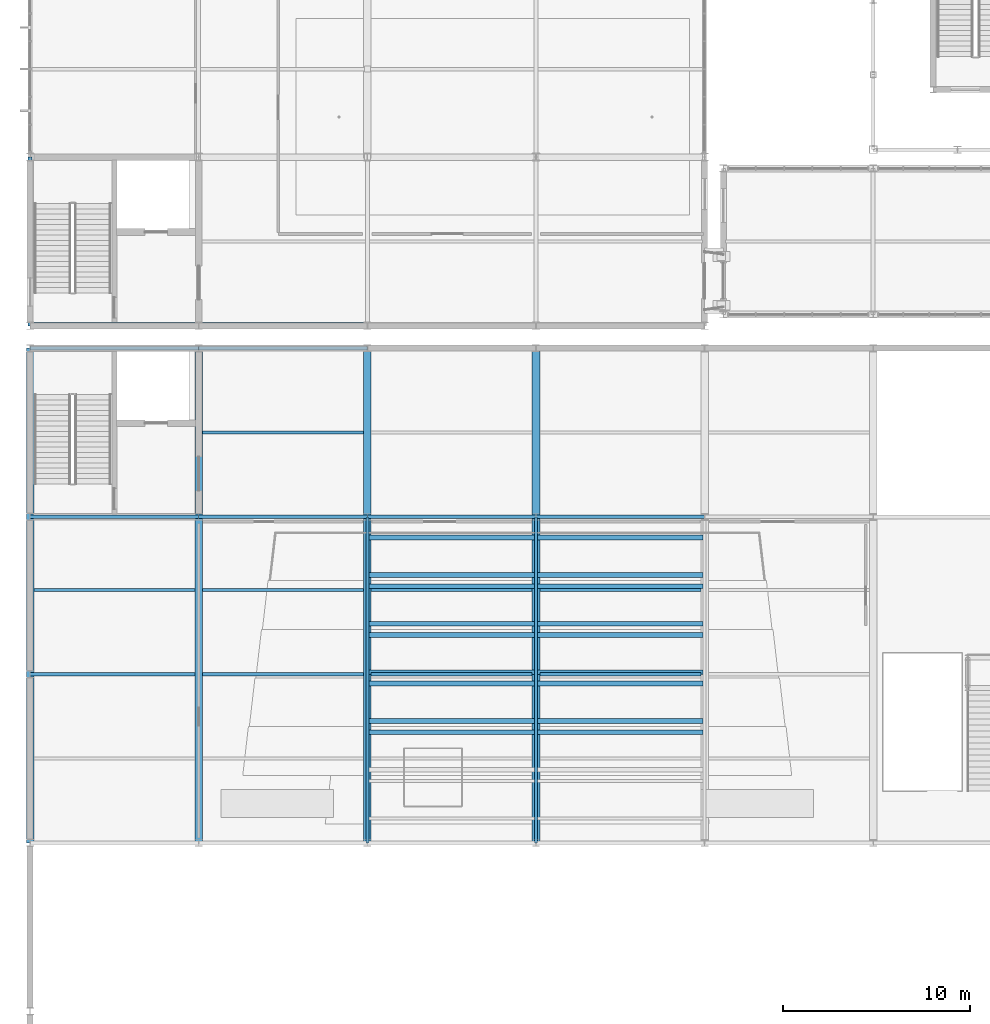
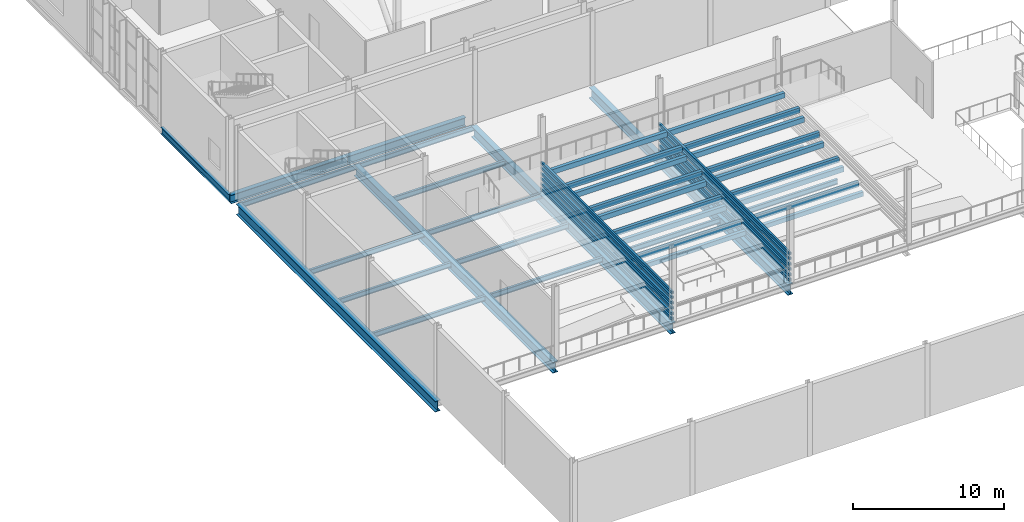
# One storey, part 30 of 159: 52 beams.
"""IFC4 building model written with IfcOpenShell, lengths in metres."""

from ifc_helpers import new_model, si_unit, direction, frame, origin, origin_2d, place, context, subcontext, project, spatial, hollow_rectangle, i_section, extrude, material, material_profile, profile_set, type_object, element, save


model = new_model("IFC4")

# Units and contexts
model_context = context("Model", 3, precision=1e-05, world=origin(), true_north=direction((0.0, 1.0)))
body_context = subcontext(model_context, "Body", "Model", "MODEL_VIEW")
ifc_project = project(units=[si_unit("LENGTHUNIT", "METRE"), si_unit("AREAUNIT", "SQUARE_METRE"), si_unit("VOLUMEUNIT", "CUBIC_METRE"), si_unit("PLANEANGLEUNIT", "RADIAN"), si_unit("MASSUNIT", "GRAM", prefix="KILO")], contexts=[model_context])

# Site, building, storey
site_placement = place(None, origin())
site = spatial("IfcSite", under=ifc_project, at=site_placement, CompositionType="ELEMENT")
building_placement = place(site_placement, origin())
building = spatial("IfcBuilding", under=site, at=building_placement, Name="Cazmaro Siding Exhibition Halls", CompositionType="ELEMENT")
storey_placement = place(building_placement, frame((0.0, 0.0, 6.0)))
storey = spatial("IfcBuildingStorey", under=building, at=storey_placement, Name="L01", CompositionType="ELEMENT", Elevation=6.0)

# Beams
ifc_material_1 = material(Name="Steel ASTM A992 Grade 50", Category="steel")
ifc_material_profile_1 = material_profile(ifc_material_1, i_section(OverallWidth=0.214111328125, OverallDepth=0.549072265625, WebThickness=0.014892578125, FlangeThickness=0.02392578125, at=origin_2d()), Name="W21X93")
ifc_profile_set_1 = profile_set([ifc_material_profile_1], Name="Steel ASTM A992 Grade 50")
beam_type_1 = type_object("IfcBeamType", Name="B-01", PredefinedType="BEAM", material=ifc_profile_set_1)
beam_1_placement = place(storey_placement, frame((0.0, 54.60009765625, -0.493896484375), z_axis=(0.0, 1.0, 0.0), x_axis=(-1.0, 0.0, 0.0)))
element("IfcBeam", 1, at=beam_1_placement, inside=storey, type_object=beam_type_1, Name="Beam B-01 BM-1994", PredefinedType="BEAM", context=body_context, shape_type="SweptSolid", body=[
    extrude(i_section(OverallWidth=0.214111328125, OverallDepth=0.549072265625, WebThickness=0.014892578125, FlangeThickness=0.02392578125, at=origin_2d()), origin(), (0.0, 0.0, 1.0), 9.0),
])
ifc_material_2 = material(Name="Steel ASTM A500 Grade C", Category="steel")
ifc_material_profile_2 = material_profile(ifc_material_2, hollow_rectangle(XDim=0.25390625, YDim=0.406005859375, WallThickness=0.014892578125, at=origin_2d()), Name="HSS16X10X5/8")
ifc_profile_set_2 = profile_set([ifc_material_profile_2], Name="Steel ASTM A500 Grade C")
beam_type_2 = type_object("IfcBeamType", Name="B-04", PredefinedType="BEAM", material=ifc_profile_set_2)
for number, where, z_axis, x_axis, name in (
    (2, (18.075927734375, 33.5, 0.866943359375), (1.0, 0.0, 0.0), (0.0, 1.0, 0.0), "Beam B-04 BM-1894"),
    (3, (27.075927734375, 33.5, 0.866943359375), (1.0, 0.0, 0.0), (0.0, 1.0, 0.0), "Beam B-04 BM-1895"),
    (4, (18.075927734375, 35.5, 0.866943359375), (1.0, 0.0, 0.0), (0.0, 1.0, 0.0), "Beam B-04 BM-1896"),
    (5, (27.075927734375, 35.5, 0.866943359375), (1.0, 0.0, 0.0), (0.0, 1.0, 0.0), "Beam B-04 BM-1897"),
    (6, (18.075927734375, 36.10009765625, 1.26708984375), (1.0, 0.0, 0.0), (0.0, 1.0, 0.0), "Beam B-04 BM-1901"),
    (7, (27.075927734375, 36.10009765625, 1.26708984375), (1.0, 0.0, 0.0), (0.0, 1.0, 0.0), "Beam B-04 BM-1902"),
    (8, (18.075927734375, 38.10009765625, 1.26708984375), (1.0, 0.0, 0.0), (0.0, 1.0, 0.0), "Beam B-04 BM-1903"),
    (9, (27.075927734375, 38.10009765625, 1.26708984375), (1.0, 0.0, 0.0), (0.0, 1.0, 0.0), "Beam B-04 BM-1904"),
    (10, (18.075927734375, 38.699951171875, 1.72705078125), (1.0, 0.0, 0.0), (0.0, 1.0, 0.0), "Beam B-04 BM-1908"),
    (11, (27.075927734375, 38.699951171875, 1.72705078125), (1.0, 0.0, 0.0), (0.0, 1.0, 0.0), "Beam B-04 BM-1909"),
    (12, (18.075927734375, 40.699951171875, 1.72705078125), (1.0, 0.0, 0.0), (0.0, 1.0, 0.0), "Beam B-04 BM-1910"),
    (13, (27.075927734375, 40.699951171875, 1.72705078125), (1.0, 0.0, 0.0), (0.0, 1.0, 0.0), "Beam B-04 BM-1911"),
    (14, (18.075927734375, 41.300048828125, 2.126953125), (1.0, 0.0, 0.0), (0.0, 1.0, 0.0), "Beam B-04 BM-1915"),
    (15, (27.075927734375, 41.300048828125, 2.126953125), (1.0, 0.0, 0.0), (0.0, 1.0, 0.0), "Beam B-04 BM-1916"),
    (16, (18.075927734375, 43.300048828125, 2.126953125), (1.0, 0.0, 0.0), (0.0, 1.0, 0.0), "Beam B-04 BM-1917"),
    (17, (27.075927734375, 43.300048828125, 2.126953125), (1.0, 0.0, 0.0), (0.0, 1.0, 0.0), "Beam B-04 BM-1918"),
):
    element("IfcBeam", number, at=place(storey_placement, frame(where, z_axis=z_axis, x_axis=x_axis)), inside=storey, type_object=beam_type_2, Name=name, PredefinedType="BEAM", context=body_context, shape_type="SweptSolid", body=[
        extrude(hollow_rectangle(XDim=0.25390625, YDim=0.406005859375, WallThickness=0.014892578125, at=origin_2d()), origin(), (0.0, 0.0, 1.0), 8.84814453125),
    ])
ifc_material_3 = material(Name="Steel ASTM A500 Grade C", Category="steel")
ifc_material_profile_3 = material_profile(ifc_material_3, hollow_rectangle(XDim=0.25390625, YDim=0.35595703125, WallThickness=0.014892578125, at=origin_2d()), Name="HSS14X10X5/8")
ifc_profile_set_3 = profile_set([ifc_material_profile_3], Name="Steel ASTM A500 Grade C")
beam_type_3 = type_object("IfcBeamType", Name="B-06", PredefinedType="BEAM", material=ifc_profile_set_3)
for number, where, z_axis, x_axis, name in (
    (18, (18.075927734375, 32.89990234375, 0.431884765625), (1.0, 0.0, 0.0), (0.0, 1.0, 0.0), "Beam B-06 BM-1889"),
    (19, (27.075927734375, 32.89990234375, 0.431884765625), (1.0, 0.0, 0.0), (0.0, 1.0, 0.0), "Beam B-06 BM-1890"),
):
    element("IfcBeam", number, at=place(storey_placement, frame(where, z_axis=z_axis, x_axis=x_axis)), inside=storey, type_object=beam_type_3, Name=name, PredefinedType="BEAM", context=body_context, shape_type="SweptSolid", body=[
        extrude(hollow_rectangle(XDim=0.25390625, YDim=0.35595703125, WallThickness=0.014892578125, at=origin_2d()), origin(), (0.0, 0.0, 1.0), 8.84814453125),
    ])
ifc_material_4 = material(Name="Steel ASTM A992 Grade 50", Category="steel")
ifc_material_profile_4 = material_profile(ifc_material_4, i_section(OverallWidth=0.404052734375, OverallDepth=0.868896484375, WebThickness=0.02099609375, FlangeThickness=0.035888671875, at=origin_2d()), Name="W33X241")
ifc_profile_set_4 = profile_set([ifc_material_profile_4], Name="Steel ASTM A992 Grade 50")
beam_type_4 = type_object("IfcBeamType", Name="G-03", PredefinedType="USERDEFINED", material=ifc_profile_set_4)
for number, where, z_axis, x_axis, name in (
    (20, (0.0, 27.0, -0.654052734375), (0.0, 1.0, 0.0), (-1.0, 0.0, 0.0), "Beam G-03 BM-1772"),
    (21, (9.0, 27.0, -0.654052734375), (0.0, 1.0, 0.0), (-1.0, 0.0, 0.0), "Beam G-03 BM-1773"),
    (22, (18.0, 27.0, -0.654052734375), (0.0, 1.0, 0.0), (-1.0, 0.0, 0.0), "Beam G-03 BM-1774"),
    (23, (27.0, 27.0, -0.654052734375), (0.0, 1.0, 0.0), (-1.0, 0.0, 0.0), "Beam G-03 BM-1775"),
):
    element("IfcBeam", number, at=place(storey_placement, frame(where, z_axis=z_axis, x_axis=x_axis)), inside=storey, type_object=beam_type_4, Name=name, ObjectType="GIRDER", PredefinedType="USERDEFINED", context=body_context, shape_type="SweptSolid", body=[
        extrude(i_section(OverallWidth=0.404052734375, OverallDepth=0.868896484375, WebThickness=0.02099609375, FlangeThickness=0.035888671875, at=origin_2d()), origin(), (0.0, 0.0, 1.0), 26.39990234375),
    ])
ifc_material_5 = material(Name="Steel ASTM A992 Grade 50", Category="steel")
ifc_material_profile_5 = material_profile(ifc_material_5, i_section(OverallWidth=0.35595703125, OverallDepth=0.696044921875, WebThickness=0.014892578125, FlangeThickness=0.02490234375, at=origin_2d()), Name="W27X146")
ifc_profile_set_5 = profile_set([ifc_material_profile_5], Name="Steel ASTM A992 Grade 50")
beam_type_5 = type_object("IfcBeamType", Name="G-05", PredefinedType="USERDEFINED", material=ifc_profile_set_5)
for number, where, z_axis, x_axis, name in (
    (24, (0.0, 54.60009765625, -0.568115234375), (1.0, 0.0, 0.0), (0.0, 1.0, 0.0), "Beam G-05 BM-1927"),
    (25, (9.0, 54.60009765625, -0.568115234375), (1.0, 0.0, 0.0), (0.0, 1.0, 0.0), "Beam G-05 BM-1942"),
):
    element("IfcBeam", number, at=place(storey_placement, frame(where, z_axis=z_axis, x_axis=x_axis)), inside=storey, type_object=beam_type_5, Name=name, ObjectType="GIRDER", PredefinedType="USERDEFINED", context=body_context, shape_type="SweptSolid", body=[
        extrude(i_section(OverallWidth=0.35595703125, OverallDepth=0.696044921875, WebThickness=0.014892578125, FlangeThickness=0.02490234375, at=origin_2d()), origin(), (0.0, 0.0, 1.0), 9.0),
    ])
ifc_material_6 = material(Name="Steel ASTM A992 Grade 50", Category="steel")
ifc_material_profile_6 = material_profile(ifc_material_6, i_section(OverallWidth=0.177978515625, OverallDepth=0.406005859375, WebThickness=0.008056640625, FlangeThickness=0.012939453125, at=origin_2d()), Name="W16X40")
ifc_profile_set_6 = profile_set([ifc_material_profile_6], Name="Steel ASTM A992 Grade 50")
beam_type_6 = type_object("IfcBeamType", Name="J-02", PredefinedType="JOIST", material=ifc_profile_set_6)
beam_2_placement = place(storey_placement, frame((0.0, 36.0, -0.423095703125), z_axis=(1.0, 0.0, 0.0), x_axis=(0.0, 1.0, 0.0)))
element("IfcBeam", 26, at=beam_2_placement, inside=storey, type_object=beam_type_6, Name="Beam J-02 BM-1791", PredefinedType="JOIST", context=body_context, shape_type="SweptSolid", body=[
    extrude(i_section(OverallWidth=0.177978515625, OverallDepth=0.406005859375, WebThickness=0.008056640625, FlangeThickness=0.012939453125, at=origin_2d()), origin(), (0.0, 0.0, 1.0), 8.798095703125),
])
for number, where, z_axis, x_axis, name in (
    (27, (9.201904296875, 36.0, -0.423095703125), (1.0, 0.0, 0.0), (0.0, 1.0, 0.0), "Beam J-02 BM-1792"),
    (28, (18.201904296875, 36.0, -0.423095703125), (1.0, 0.0, 0.0), (0.0, 1.0, 0.0), "Beam J-02 BM-1793"),
    (29, (27.201904296875, 36.0, -0.423095703125), (1.0, 0.0, 0.0), (0.0, 1.0, 0.0), "Beam J-02 BM-1794"),
    (30, (0.201904296875, 40.5, -0.423095703125), (1.0, 0.0, 0.0), (0.0, 1.0, 0.0), "Beam J-02 BM-1796"),
    (31, (9.201904296875, 40.5, -0.423095703125), (1.0, 0.0, 0.0), (0.0, 1.0, 0.0), "Beam J-02 BM-1797"),
    (32, (18.201904296875, 40.5, -0.423095703125), (1.0, 0.0, 0.0), (0.0, 1.0, 0.0), "Beam J-02 BM-1798"),
    (33, (27.201904296875, 40.5, -0.423095703125), (1.0, 0.0, 0.0), (0.0, 1.0, 0.0), "Beam J-02 BM-1799"),
):
    element("IfcBeam", number, at=place(storey_placement, frame(where, z_axis=z_axis, x_axis=x_axis)), inside=storey, type_object=beam_type_6, Name=name, PredefinedType="JOIST", context=body_context, shape_type="SweptSolid", body=[
        extrude(i_section(OverallWidth=0.177978515625, OverallDepth=0.406005859375, WebThickness=0.008056640625, FlangeThickness=0.012939453125, at=origin_2d()), origin(), (0.0, 0.0, 1.0), 8.59619140625),
    ])
for number, where, z_axis, x_axis, name in (
    (34, (0.0, 44.39990234375, -0.423095703125), (1.0, 0.0, 0.0), (0.0, 1.0, 0.0), "Beam J-02 BM-1801"),
    (35, (9.0, 44.39990234375, -0.423095703125), (1.0, 0.0, 0.0), (0.0, 1.0, 0.0), "Beam J-02 BM-1802"),
    (36, (18.0, 44.39990234375, -0.423095703125), (1.0, 0.0, 0.0), (0.0, 1.0, 0.0), "Beam J-02 BM-1803"),
    (37, (27.0, 44.39990234375, -0.423095703125), (1.0, 0.0, 0.0), (0.0, 1.0, 0.0), "Beam J-02 BM-1804"),
):
    element("IfcBeam", number, at=place(storey_placement, frame(where, z_axis=z_axis, x_axis=x_axis)), inside=storey, type_object=beam_type_6, Name=name, PredefinedType="JOIST", context=body_context, shape_type="SweptSolid", body=[
        extrude(i_section(OverallWidth=0.177978515625, OverallDepth=0.406005859375, WebThickness=0.008056640625, FlangeThickness=0.012939453125, at=origin_2d()), origin(), (0.0, 0.0, 1.0), 9.0),
    ])
beam_3_placement = place(storey_placement, frame((9.201904296875, 48.89990234375, -0.423095703125), z_axis=(1.0, 0.0, 0.0), x_axis=(0.0, 1.0, 0.0)))
element("IfcBeam", 38, at=beam_3_placement, inside=storey, type_object=beam_type_6, Name="Beam J-02 BM-1806", PredefinedType="JOIST", context=body_context, shape_type="SweptSolid", body=[
    extrude(i_section(OverallWidth=0.177978515625, OverallDepth=0.406005859375, WebThickness=0.008056640625, FlangeThickness=0.012939453125, at=origin_2d()), origin(), (0.0, 0.0, 1.0), 8.59619140625),
])
for number, where, z_axis, x_axis, name in (
    (39, (0.0, 53.39990234375, -0.423095703125), (1.0, 0.0, 0.0), (0.0, 1.0, 0.0), "Beam J-02 BM-1810"),
    (40, (9.0, 53.39990234375, -0.423095703125), (1.0, 0.0, 0.0), (0.0, 1.0, 0.0), "Beam J-02 BM-1811"),
):
    element("IfcBeam", number, at=place(storey_placement, frame(where, z_axis=z_axis, x_axis=x_axis)), inside=storey, type_object=beam_type_6, Name=name, PredefinedType="JOIST", context=body_context, shape_type="SweptSolid", body=[
        extrude(i_section(OverallWidth=0.177978515625, OverallDepth=0.406005859375, WebThickness=0.008056640625, FlangeThickness=0.012939453125, at=origin_2d()), origin(), (0.0, 0.0, 1.0), 9.0),
    ])
ifc_material_7 = material(Name="Steel ASTM A500 Grade C", Category="steel")
ifc_material_profile_7 = material_profile(ifc_material_7, hollow_rectangle(XDim=0.152099609375, YDim=0.202880859375, WallThickness=0.011962890625, at=origin_2d()), Name="HSS8X6X1/2")
ifc_profile_set_7 = profile_set([ifc_material_profile_7], Name="Steel ASTM A500 Grade C")
beam_type_7 = type_object("IfcBeamType", Name="LN-01", PredefinedType="LINTEL", material=ifc_profile_set_7)
for number, where, z_axis, x_axis, name in (
    (41, (18.0, 27.0, 0.10888671875), (0.0, 1.0, 0.0), (-1.0, 0.0, 0.0), "Beam LN-01 BM-1877"),
    (42, (27.0, 27.0, 0.10888671875), (0.0, 1.0, 0.0), (-1.0, 0.0, 0.0), "Beam LN-01 BM-1878"),
    (43, (18.0, 27.0, 0.509033203125), (0.0, 1.0, 0.0), (-1.0, 0.0, 0.0), "Beam LN-01 BM-1884"),
    (44, (27.0, 27.0, 0.509033203125), (0.0, 1.0, 0.0), (-1.0, 0.0, 0.0), "Beam LN-01 BM-1885"),
    (45, (18.0, 27.0, 0.968994140625), (0.0, 1.0, 0.0), (-1.0, 0.0, 0.0), "Beam LN-01 BM-1891"),
    (46, (27.0, 27.0, 0.968994140625), (0.0, 1.0, 0.0), (-1.0, 0.0, 0.0), "Beam LN-01 BM-1892"),
    (47, (18.0, 27.0, 1.368896484375), (0.0, 1.0, 0.0), (-1.0, 0.0, 0.0), "Beam LN-01 BM-1898"),
    (48, (27.0, 27.0, 1.368896484375), (0.0, 1.0, 0.0), (-1.0, 0.0, 0.0), "Beam LN-01 BM-1899"),
    (49, (18.0, 27.0, 1.8291015625), (0.0, 1.0, 0.0), (-1.0, 0.0, 0.0), "Beam LN-01 BM-1905"),
    (50, (27.0, 27.0, 1.8291015625), (0.0, 1.0, 0.0), (-1.0, 0.0, 0.0), "Beam LN-01 BM-1906"),
    (51, (18.0, 27.0, 2.22900390625), (0.0, 1.0, 0.0), (-1.0, 0.0, 0.0), "Beam LN-01 BM-1912"),
    (52, (27.0, 27.0, 2.22900390625), (0.0, 1.0, 0.0), (-1.0, 0.0, 0.0), "Beam LN-01 BM-1913"),
):
    element("IfcBeam", number, at=place(storey_placement, frame(where, z_axis=z_axis, x_axis=x_axis)), inside=storey, type_object=beam_type_7, Name=name, PredefinedType="LINTEL", context=body_context, shape_type="SweptSolid", body=[
        extrude(hollow_rectangle(XDim=0.152099609375, YDim=0.202880859375, WallThickness=0.011962890625, at=origin_2d()), origin(), (0.0, 0.0, 1.0), 17.39990234375),
    ])

save(model, "model.ifc")
